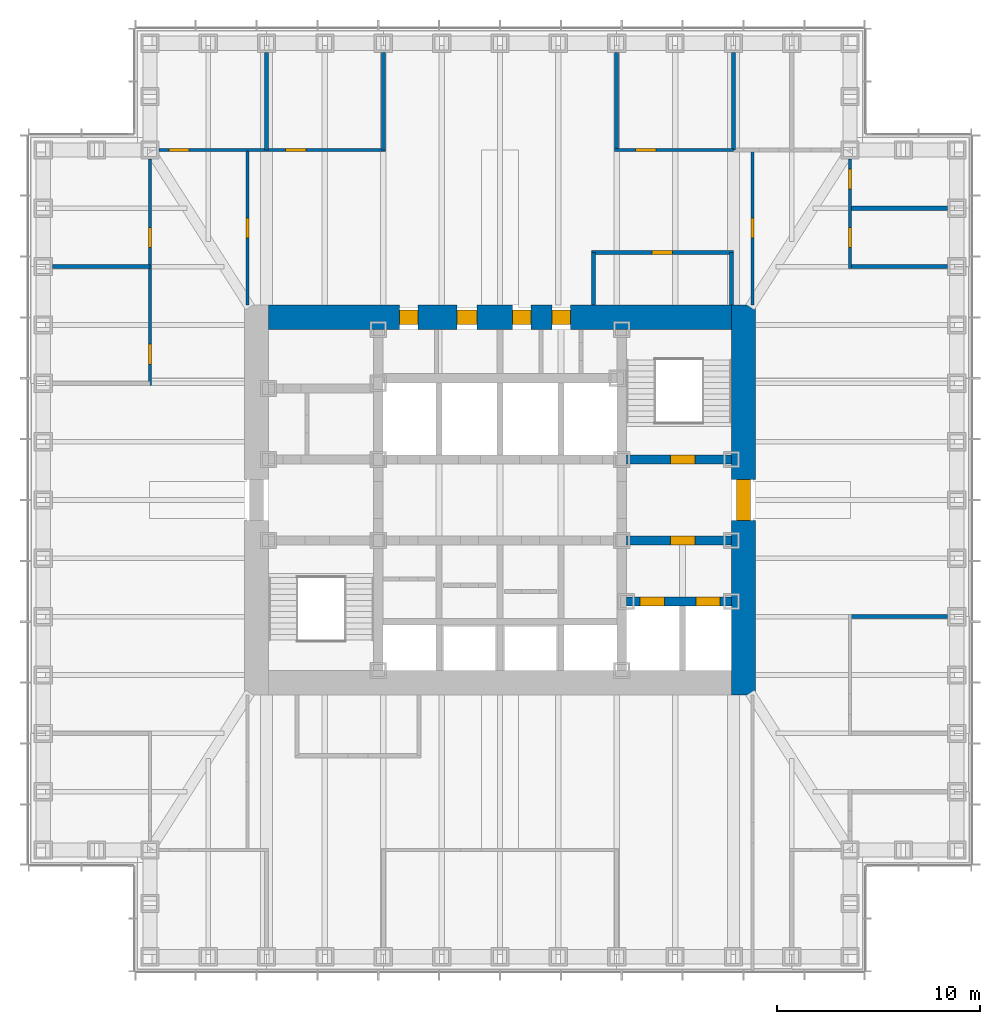
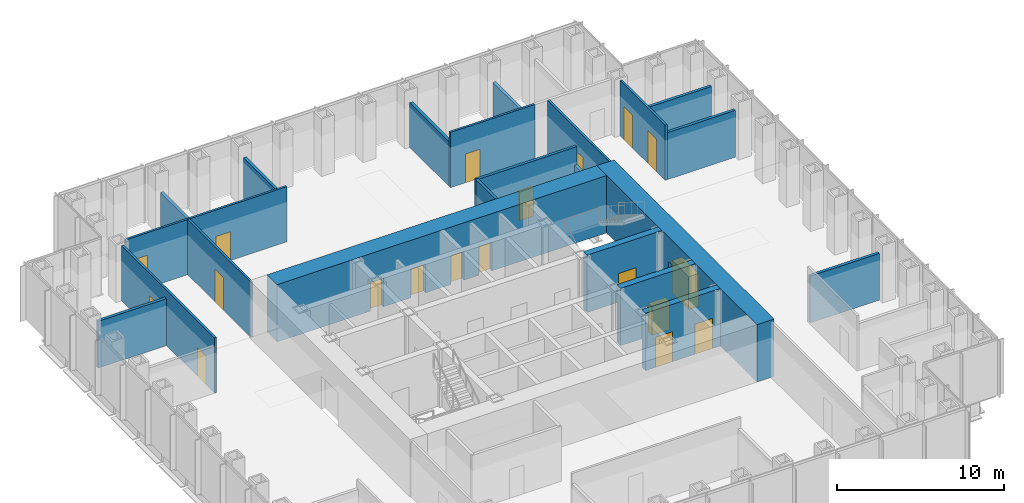
# One storey, part 10 of 17: 22 walls, 19 doors, 19 openings.
"""IFC4 building model written with IfcOpenShell, lengths in metres."""

from ifc_helpers import new_model, si_unit, direction, frame, frame_2d, origin, place, context, subcontext, project, spatial, rectangle, extrude, material, layer, layer_set, type_object, element, fill, save


model = new_model("IFC4")

# Units and contexts
model_context = context("Model", 3, precision=1e-05, world=origin(), true_north=direction((0.0, 1.0)))
body_context = subcontext(model_context, "Body", "Model", "MODEL_VIEW")
ifc_project = project(units=[si_unit("LENGTHUNIT", "METRE"), si_unit("AREAUNIT", "SQUARE_METRE"), si_unit("VOLUMEUNIT", "CUBIC_METRE"), si_unit("PLANEANGLEUNIT", "RADIAN"), si_unit("MASSUNIT", "GRAM", prefix="KILO")], contexts=[model_context])

# Site, building, storey
site_placement = place(None, origin())
site = spatial("IfcSite", under=ifc_project, at=site_placement, CompositionType="ELEMENT")
building_placement = place(site_placement, origin())
building = spatial("IfcBuilding", under=site, at=building_placement, Name="Daluyong Arena Tower", CompositionType="ELEMENT")
storey_placement = place(building_placement, frame((0.0, 0.0, 150.10009765625)))
storey = spatial("IfcBuildingStorey", under=building, at=storey_placement, Name="L33", CompositionType="ELEMENT", Elevation=150.10009765625)

# Wall, openings, doors
ifc_material_1 = material(Name="Concrete fc' 45 MPa", Category="concrete")
ifc_layer_1 = layer(ifc_material_1, 0.449951171875)
ifc_layer_set_1 = layer_set([ifc_layer_1], Name="Concrete fc' 45 MPa")
wall_type_1 = type_object("IfcWallType", Name="Core inner wall 450", PredefinedType="SHEAR", material=ifc_layer_set_1)
wall_1_placement = place(storey_placement, frame((62.22509765625, 75.0, 0.0), z_axis=(0.0, 0.0, 1.0), x_axis=(1.0, 0.0, 0.0)))
wall_1 = element("IfcWall", 1, at=wall_1_placement, inside=storey, type_object=wall_type_1, Name="core inner wall at L33", PredefinedType="SHEAR", context=body_context, shape_type="SweptSolid", body=[
    extrude(rectangle(XDim=5.1748046875, YDim=0.449951171875, at=frame_2d((2.58740234375, 0.0))), origin(), (0.0, 0.0, 1.0), 4.199951171875),
])
opening_1_placement = place(wall_1_placement, frame((0.675048828125, 0.0, 0.0)))
opening_1 = element("IfcOpeningElement", 2, at=opening_1_placement, cuts=wall_1, Name="Opening 33027", PredefinedType="OPENING", context=body_context, shape_type="SweptSolid", body=[
    extrude(rectangle(XDim=1.199951171875, YDim=2.199951171875, at=frame_2d((0.60009765625, 1.10009765625))), frame((0.0, 0.23486328125, 0.0), z_axis=(0.0, -1.0, 0.0), x_axis=(1.0, 0.0, 0.0)), (0.0, 0.0, 1.0), 0.469970703125),
])
opening_2_placement = place(wall_1_placement, frame((3.425048828125, 0.0, 0.0)))
opening_2 = element("IfcOpeningElement", 3, at=opening_2_placement, cuts=wall_1, Name="Opening 33028", PredefinedType="OPENING", context=body_context, shape_type="SweptSolid", body=[
    extrude(rectangle(XDim=1.199951171875, YDim=2.199951171875, at=frame_2d((0.60009765625, 1.10009765625))), frame((0.0, 0.23486328125, 0.0), z_axis=(0.0, -1.0, 0.0), x_axis=(1.0, 0.0, 0.0)), (0.0, 0.0, 1.0), 0.469970703125),
])
ifc_material_2 = material(Name="Steel door, fire rated", Category="steel")
door_type_1 = type_object("IfcDoorType", Name="Firefighting lift landing door 1200", OperationType="SLIDING_TO_LEFT", PredefinedType="DOOR", material=ifc_material_2)
door_1_placement = place(opening_1_placement, origin())
door_1 = element("IfcDoor", 4, at=door_1_placement, inside=storey, type_object=door_type_1, Name="firefighting lift landing door F1 33027", OperationType="SLIDING_TO_LEFT", OverallHeight=2.199951171875, OverallWidth=1.199951171875, PredefinedType="DOOR", context=body_context, shape_type="SweptSolid", body=[
    extrude(rectangle(XDim=1.199951171875, YDim=2.199951171875, at=frame_2d((0.60009765625, 1.10009765625))), frame((0.0, 0.224609375, 0.0), z_axis=(0.0, -1.0, 0.0), x_axis=(1.0, 0.0, 0.0)), (0.0, 0.0, 1.0), 0.449462890625),
])
fill(opening_1, door_1)
door_2_placement = place(opening_2_placement, origin())
door_2 = element("IfcDoor", 5, at=door_2_placement, inside=storey, type_object=door_type_1, Name="firefighting lift landing door F2 33028", OperationType="SLIDING_TO_LEFT", OverallHeight=2.199951171875, OverallWidth=1.199951171875, PredefinedType="DOOR", context=body_context, shape_type="SweptSolid", body=[
    extrude(rectangle(XDim=1.199951171875, YDim=2.199951171875, at=frame_2d((0.60009765625, 1.10009765625))), frame((0.0, 0.224609375, 0.0), z_axis=(0.0, -1.0, 0.0), x_axis=(1.0, 0.0, 0.0)), (0.0, 0.0, 1.0), 0.449462890625),
])
fill(opening_2, door_2)

# Wall, opening, door
wall_2_placement = place(storey_placement, frame((62.22509765625, 78.0, 0.0), z_axis=(0.0, 0.0, 1.0), x_axis=(1.0, 0.0, 0.0)))
wall_2 = element("IfcWall", 6, at=wall_2_placement, inside=storey, type_object=wall_type_1, Name="core inner wall at L33", PredefinedType="SHEAR", context=body_context, shape_type="SweptSolid", body=[
    extrude(rectangle(XDim=5.1748046875, YDim=0.449951171875, at=frame_2d((2.58740234375, 0.0))), origin(), (0.0, 0.0, 1.0), 4.199951171875),
])
opening_3_placement = place(wall_2_placement, frame((2.175048828125, 0.0, 0.0)))
opening_3 = element("IfcOpeningElement", 7, at=opening_3_placement, cuts=wall_2, Name="Opening 33022", PredefinedType="OPENING", context=body_context, shape_type="SweptSolid", body=[
    extrude(rectangle(XDim=1.199951171875, YDim=2.10009765625, at=frame_2d((0.60009765625, 1.050048828125))), frame((0.0, 0.23486328125, 0.0), z_axis=(0.0, -1.0, 0.0), x_axis=(1.0, 0.0, 0.0)), (0.0, 0.0, 1.0), 0.469970703125),
])
ifc_material_3 = material(Name="Steel door, fire rated", Category="steel")
door_type_2 = type_object("IfcDoorType", Name="Firefighting lobby door 1200", OperationType="SINGLE_SWING_RIGHT", PredefinedType="DOOR", material=ifc_material_3)
door_3_placement = place(opening_3_placement, origin())
door_3 = element("IfcDoor", 8, at=door_3_placement, inside=storey, type_object=door_type_2, Name="firefighting lobby door 33022", OperationType="SINGLE_SWING_RIGHT", OverallHeight=2.10009765625, OverallWidth=1.199951171875, PredefinedType="DOOR", context=body_context, shape_type="SweptSolid", body=[
    extrude(rectangle(XDim=1.199951171875, YDim=2.10009765625, at=frame_2d((0.60009765625, 1.050048828125))), frame((0.0, 0.224609375, 0.0), z_axis=(0.0, -1.0, 0.0), x_axis=(1.0, 0.0, 0.0)), (0.0, 0.0, 1.0), 0.449462890625),
])
fill(opening_3, door_3)

wall_3_placement = place(storey_placement, frame((62.22509765625, 82.0, 0.0), z_axis=(0.0, 0.0, 1.0), x_axis=(1.0, 0.0, 0.0)))
wall_3 = element("IfcWall", 9, at=wall_3_placement, inside=storey, type_object=wall_type_1, Name="core inner wall at L33", PredefinedType="SHEAR", context=body_context, shape_type="SweptSolid", body=[
    extrude(rectangle(XDim=5.1748046875, YDim=0.449951171875, at=frame_2d((2.58740234375, 0.0))), origin(), (0.0, 0.0, 1.0), 4.199951171875),
])
opening_4_placement = place(wall_3_placement, frame((2.175048828125, 0.0, 0.0)))
opening_4 = element("IfcOpeningElement", 10, at=opening_4_placement, cuts=wall_3, Name="Opening 33017", PredefinedType="OPENING", context=body_context, shape_type="SweptSolid", body=[
    extrude(rectangle(XDim=1.199951171875, YDim=2.10009765625, at=frame_2d((0.60009765625, 1.050048828125))), frame((0.0, 0.23486328125, 0.0), z_axis=(0.0, -1.0, 0.0), x_axis=(1.0, 0.0, 0.0)), (0.0, 0.0, 1.0), 0.469970703125),
])
ifc_material_4 = material(Name="Steel door, fire rated", Category="steel")
door_type_3 = type_object("IfcDoorType", Name="Stair door 1200", OperationType="SINGLE_SWING_LEFT", PredefinedType="DOOR", material=ifc_material_4)
door_4_placement = place(opening_4_placement, origin())
door_4 = element("IfcDoor", 11, at=door_4_placement, inside=storey, type_object=door_type_3, Name="stair B door 33017", OperationType="SINGLE_SWING_LEFT", OverallHeight=2.10009765625, OverallWidth=1.199951171875, PredefinedType="DOOR", context=body_context, shape_type="SweptSolid", body=[
    extrude(rectangle(XDim=1.199951171875, YDim=2.10009765625, at=frame_2d((0.60009765625, 1.050048828125))), frame((0.0, 0.224609375, 0.0), z_axis=(0.0, -1.0, 0.0), x_axis=(1.0, 0.0, 0.0)), (0.0, 0.0, 1.0), 0.449462890625),
])
fill(opening_4, door_4)

ifc_material_5 = material(Name="Concrete fc' 60 MPa", Category="concrete")
ifc_layer_2 = layer(ifc_material_5, 1.199951171875)
ifc_layer_set_2 = layer_set([ifc_layer_2], Name="Concrete fc' 60 MPa")
wall_type_2 = type_object("IfcWallType", Name="Core wall 1200", PredefinedType="SHEAR", material=ifc_layer_set_2)
wall_4_placement = place(storey_placement, frame((68.0, 70.39990234375, 0.0), z_axis=(0.0, 0.0, 1.0), x_axis=(0.0, 1.0, 0.0)))
wall_4 = element("IfcWall", 12, at=wall_4_placement, inside=storey, type_object=wall_type_2, Name="core wall at L33", PredefinedType="SHEAR", context=body_context, shape_type="SweptSolid", body=[
    extrude(rectangle(XDim=19.2001953125, YDim=1.199951171875, at=frame_2d((9.60009765625, 0.0))), origin(), (0.0, 0.0, 1.0), 4.199951171875),
])
opening_5_placement = place(wall_4_placement, frame((8.60009765625, 0.0, 0.0)))
opening_5 = element("IfcOpeningElement", 13, at=opening_5_placement, cuts=wall_4, Name="Opening 33019", PredefinedType="OPENING", context=body_context, shape_type="SweptSolid", body=[
    extrude(rectangle(XDim=2.0, YDim=2.39990234375, at=frame_2d((1.0, 1.199951171875))), frame((0.0, 0.60986328125, 0.0), z_axis=(0.0, -1.0, 0.0), x_axis=(1.0, 0.0, 0.0)), (0.0, 0.0, 1.0), 1.219970703125),
])
ifc_material_6 = material(Name="Steel door, fire rated", Category="steel")
door_type_4 = type_object("IfcDoorType", Name="Core lobby double door 2000", OperationType="DOUBLE_DOOR_SINGLE_SWING", PredefinedType="DOOR", material=ifc_material_6)
door_5_placement = place(opening_5_placement, origin())
door_5 = element("IfcDoor", 14, at=door_5_placement, inside=storey, type_object=door_type_4, Name="core lobby door east 33019", OperationType="DOUBLE_DOOR_SINGLE_SWING", OverallHeight=2.39990234375, OverallWidth=2.0, PredefinedType="DOOR", context=body_context, shape_type="SweptSolid", body=[
    extrude(rectangle(XDim=2.0, YDim=2.39990234375, at=frame_2d((1.0, 1.199951171875))), frame((0.0, 0.35009765625, 0.0), z_axis=(0.0, -1.0, 0.0), x_axis=(1.0, 0.0, 0.0)), (0.0, 0.0, 1.0), 0.699951171875),
])
fill(opening_5, door_5)

# Wall, openings, doors
wall_5_placement = place(storey_placement, frame((44.60009765625, 89.0, 0.0), z_axis=(0.0, 0.0, 1.0), x_axis=(1.0, 0.0, 0.0)))
wall_5 = element("IfcWall", 15, at=wall_5_placement, inside=storey, type_object=wall_type_2, Name="core wall at L33", PredefinedType="SHEAR", context=body_context, shape_type="SweptSolid", body=[
    extrude(rectangle(XDim=22.7998046875, YDim=1.199951171875, at=frame_2d((11.39990234375, 0.0))), origin(), (0.0, 0.0, 1.0), 4.199951171875),
])
opening_6_placement = place(wall_5_placement, frame((9.27490234375, 0.0, 0.0)))
opening_6 = element("IfcOpeningElement", 16, at=opening_6_placement, cuts=wall_5, Name="Opening 33004", PredefinedType="OPENING", context=body_context, shape_type="SweptSolid", body=[
    extrude(rectangle(XDim=1.0, YDim=2.10009765625, at=frame_2d((0.5, 1.050048828125))), frame((0.0, 0.60986328125, 0.0), z_axis=(0.0, -1.0, 0.0), x_axis=(1.0, 0.0, 0.0)), (0.0, 0.0, 1.0), 1.219970703125),
])
opening_7_placement = place(wall_5_placement, frame((6.449951171875, 0.0, 0.0)))
opening_7 = element("IfcOpeningElement", 17, at=opening_7_placement, cuts=wall_5, Name="Opening 33005", PredefinedType="OPENING", context=body_context, shape_type="SweptSolid", body=[
    extrude(rectangle(XDim=0.89990234375, YDim=2.10009765625, at=frame_2d((0.449951171875, 1.050048828125))), frame((0.0, 0.60986328125, 0.0), z_axis=(0.0, -1.0, 0.0), x_axis=(1.0, 0.0, 0.0)), (0.0, 0.0, 1.0), 1.219970703125),
])
opening_8_placement = place(wall_5_placement, frame((12.02490234375, 0.0, 0.0)))
opening_8 = element("IfcOpeningElement", 18, at=opening_8_placement, cuts=wall_5, Name="Opening 33006", PredefinedType="OPENING", context=body_context, shape_type="SweptSolid", body=[
    extrude(rectangle(XDim=0.89990234375, YDim=2.10009765625, at=frame_2d((0.449951171875, 1.050048828125))), frame((0.0, 0.60986328125, 0.0), z_axis=(0.0, -1.0, 0.0), x_axis=(1.0, 0.0, 0.0)), (0.0, 0.0, 1.0), 1.219970703125),
])
opening_9_placement = place(wall_5_placement, frame((13.96240234375, 0.0, 0.0)))
opening_9 = element("IfcOpeningElement", 19, at=opening_9_placement, cuts=wall_5, Name="Opening 33007", PredefinedType="OPENING", context=body_context, shape_type="SweptSolid", body=[
    extrude(rectangle(XDim=0.89990234375, YDim=2.10009765625, at=frame_2d((0.449951171875, 1.050048828125))), frame((0.0, 0.60986328125, 0.0), z_axis=(0.0, -1.0, 0.0), x_axis=(1.0, 0.0, 0.0)), (0.0, 0.0, 1.0), 1.219970703125),
])
ifc_material_7 = material(Name="Timber door", Category="wood")
door_type_5 = type_object("IfcDoorType", Name="Accessible toilet door 1000", OperationType="SINGLE_SWING_LEFT", PredefinedType="DOOR", material=ifc_material_7)
door_6_placement = place(opening_6_placement, origin())
door_6 = element("IfcDoor", 20, at=door_6_placement, inside=storey, type_object=door_type_5, Name="accessible toilet door 33004", OperationType="SINGLE_SWING_LEFT", OverallHeight=2.10009765625, OverallWidth=1.0, PredefinedType="DOOR", context=body_context, shape_type="SweptSolid", body=[
    extrude(rectangle(XDim=1.0, YDim=2.10009765625, at=frame_2d((0.5, 1.050048828125))), frame((0.0, 0.35009765625, 0.0), z_axis=(0.0, -1.0, 0.0), x_axis=(1.0, 0.0, 0.0)), (0.0, 0.0, 1.0), 0.699951171875),
])
fill(opening_6, door_6)
ifc_material_8 = material(Name="Steel door, fire rated", Category="steel")
door_type_6 = type_object("IfcDoorType", Name="Core room door 900", OperationType="SINGLE_SWING_LEFT", PredefinedType="DOOR", material=ifc_material_8)
door_7_placement = place(opening_8_placement, origin())
door_7 = element("IfcDoor", 21, at=door_7_placement, inside=storey, type_object=door_type_6, Name="mail room door 33006", OperationType="SINGLE_SWING_LEFT", OverallHeight=2.10009765625, OverallWidth=0.89990234375, PredefinedType="DOOR", context=body_context, shape_type="SweptSolid", body=[
    extrude(rectangle(XDim=0.89990234375, YDim=2.10009765625, at=frame_2d((0.449951171875, 1.050048828125))), frame((0.0, 0.35009765625, 0.0), z_axis=(0.0, -1.0, 0.0), x_axis=(1.0, 0.0, 0.0)), (0.0, 0.0, 1.0), 0.699951171875),
])
fill(opening_8, door_7)
door_8_placement = place(opening_9_placement, origin())
door_8 = element("IfcDoor", 22, at=door_8_placement, inside=storey, type_object=door_type_6, Name="vending room door 33007", OperationType="SINGLE_SWING_LEFT", OverallHeight=2.10009765625, OverallWidth=0.89990234375, PredefinedType="DOOR", context=body_context, shape_type="SweptSolid", body=[
    extrude(rectangle(XDim=0.89990234375, YDim=2.10009765625, at=frame_2d((0.449951171875, 1.050048828125))), frame((0.0, 0.35009765625, 0.0), z_axis=(0.0, -1.0, 0.0), x_axis=(1.0, 0.0, 0.0)), (0.0, 0.0, 1.0), 0.699951171875),
])
fill(opening_9, door_8)
ifc_material_9 = material(Name="Steel door, fire rated", Category="steel")
door_type_7 = type_object("IfcDoorType", Name="Core store door 900", OperationType="SINGLE_SWING_LEFT", PredefinedType="DOOR", material=ifc_material_9)
door_9_placement = place(opening_7_placement, origin())
door_9 = element("IfcDoor", 23, at=door_9_placement, inside=storey, type_object=door_type_7, Name="cleaner's store door 33005", OperationType="SINGLE_SWING_LEFT", OverallHeight=2.10009765625, OverallWidth=0.89990234375, PredefinedType="DOOR", context=body_context, shape_type="SweptSolid", body=[
    extrude(rectangle(XDim=0.89990234375, YDim=2.10009765625, at=frame_2d((0.449951171875, 1.050048828125))), frame((0.0, 0.35009765625, 0.0), z_axis=(0.0, -1.0, 0.0), x_axis=(1.0, 0.0, 0.0)), (0.0, 0.0, 1.0), 0.699951171875),
])
fill(opening_7, door_9)

ifc_material_10 = material(Name="Glazed aluminium partition", Category="aluminium")
ifc_layer_3 = layer(ifc_material_10, 0.14990234375)
ifc_layer_set_3 = layer_set([ifc_layer_3], Name="Glazed aluminium partition")
wall_type_3 = type_object("IfcWallType", Name="Glazed partition 150", PredefinedType="PARTITIONING", material=ifc_layer_set_3)
wall_6_placement = place(storey_placement, frame((39.199951171875, 97.25, 0.0), z_axis=(0.0, 0.0, 1.0), x_axis=(1.0, 0.0, 0.0)))
wall_6 = element("IfcWall", 24, at=wall_6_placement, inside=storey, type_object=wall_type_3, Name="glazed partition at L33", PredefinedType="PARTITIONING", context=body_context, shape_type="SweptSolid", body=[
    extrude(rectangle(XDim=11.150146484375, YDim=0.14990234375, at=frame_2d((5.5751953125, 0.0))), origin(), (0.0, 0.0, 1.0), 4.039794921875),
])
opening_10_placement = place(wall_6_placement, frame((0.487548828125, 0.0, 0.0)))
opening_10 = element("IfcOpeningElement", 25, at=opening_10_placement, cuts=wall_6, Name="Opening 33036", PredefinedType="OPENING", context=body_context, shape_type="SweptSolid", body=[
    extrude(rectangle(XDim=1.0, YDim=2.39990234375, at=frame_2d((0.5, 1.199951171875))), frame((0.0, 0.0849609375, 0.0), z_axis=(0.0, -1.0, 0.0), x_axis=(1.0, 0.0, 0.0)), (0.0, 0.0, 1.0), 0.169921875),
])
opening_11_placement = place(wall_6_placement, frame((6.237548828125, 0.0, 0.0)))
opening_11 = element("IfcOpeningElement", 26, at=opening_11_placement, cuts=wall_6, Name="Opening 33037", PredefinedType="OPENING", context=body_context, shape_type="SweptSolid", body=[
    extrude(rectangle(XDim=1.0, YDim=2.10009765625, at=frame_2d((0.5, 1.050048828125))), frame((0.0, 0.0849609375, 0.0), z_axis=(0.0, -1.0, 0.0), x_axis=(1.0, 0.0, 0.0)), (0.0, 0.0, 1.0), 0.169921875),
])
ifc_material_11 = material(Name="Glazed aluminium door", Category="aluminium")
door_type_8 = type_object("IfcDoorType", Name="Meeting room glazed door 1000", OperationType="SINGLE_SWING_RIGHT", PredefinedType="DOOR", material=ifc_material_11)
door_10_placement = place(opening_10_placement, origin())
door_10 = element("IfcDoor", 27, at=door_10_placement, inside=storey, type_object=door_type_8, Name="meeting room door 33036", OperationType="SINGLE_SWING_RIGHT", OverallHeight=2.39990234375, OverallWidth=1.0, PredefinedType="DOOR", context=body_context, shape_type="SweptSolid", body=[
    extrude(rectangle(XDim=1.0, YDim=2.39990234375, at=frame_2d((0.5, 1.199951171875))), frame((0.0, 0.07470703125, 0.0), z_axis=(0.0, -1.0, 0.0), x_axis=(1.0, 0.0, 0.0)), (0.0, 0.0, 1.0), 0.1494140625),
])
fill(opening_10, door_10)
ifc_material_12 = material(Name="Timber door", Category="wood")
door_type_9 = type_object("IfcDoorType", Name="Room door 1000", OperationType="SINGLE_SWING_LEFT", PredefinedType="DOOR", material=ifc_material_12)
door_11_placement = place(opening_11_placement, origin())
door_11 = element("IfcDoor", 28, at=door_11_placement, inside=storey, type_object=door_type_9, Name="office door 33037", OperationType="SINGLE_SWING_LEFT", OverallHeight=2.10009765625, OverallWidth=1.0, PredefinedType="DOOR", context=body_context, shape_type="SweptSolid", body=[
    extrude(rectangle(XDim=1.0, YDim=2.10009765625, at=frame_2d((0.5, 1.050048828125))), frame((0.0, 0.07470703125, 0.0), z_axis=(0.0, -1.0, 0.0), x_axis=(1.0, 0.0, 0.0)), (0.0, 0.0, 1.0), 0.1494140625),
])
fill(opening_11, door_11)

# Wall, opening, door
wall_7_placement = place(storey_placement, frame((61.64990234375, 97.25, 0.0), z_axis=(0.0, 0.0, 1.0), x_axis=(1.0, 0.0, 0.0)))
wall_7 = element("IfcWall", 29, at=wall_7_placement, inside=storey, type_object=wall_type_3, Name="glazed partition at L33", PredefinedType="PARTITIONING", context=body_context, shape_type="SweptSolid", body=[
    extrude(rectangle(XDim=5.85009765625, YDim=0.14990234375, at=frame_2d((2.925048828125, 0.0))), origin(), (0.0, 0.0, 1.0), 4.039794921875),
])
opening_12_placement = place(wall_7_placement, frame((1.03759765625, 0.0, 0.0)))
opening_12 = element("IfcOpeningElement", 30, at=opening_12_placement, cuts=wall_7, Name="Opening 33038", PredefinedType="OPENING", context=body_context, shape_type="SweptSolid", body=[
    extrude(rectangle(XDim=1.0, YDim=2.10009765625, at=frame_2d((0.5, 1.050048828125))), frame((0.0, 0.0849609375, 0.0), z_axis=(0.0, -1.0, 0.0), x_axis=(1.0, 0.0, 0.0)), (0.0, 0.0, 1.0), 0.169921875),
])
door_12_placement = place(opening_12_placement, origin())
door_12 = element("IfcDoor", 31, at=door_12_placement, inside=storey, type_object=door_type_9, Name="office door 33038", OperationType="SINGLE_SWING_LEFT", OverallHeight=2.10009765625, OverallWidth=1.0, PredefinedType="DOOR", context=body_context, shape_type="SweptSolid", body=[
    extrude(rectangle(XDim=1.0, YDim=2.10009765625, at=frame_2d((0.5, 1.050048828125))), frame((0.0, 0.07470703125, 0.0), z_axis=(0.0, -1.0, 0.0), x_axis=(1.0, 0.0, 0.0)), (0.0, 0.0, 1.0), 0.1494140625),
])
fill(opening_12, door_12)

# Wall, openings, doors
wall_8_placement = place(storey_placement, frame((38.75, 85.64990234375, 0.0), z_axis=(0.0, 0.0, 1.0), x_axis=(0.0, 1.0, 0.0)))
wall_8 = element("IfcWall", 32, at=wall_8_placement, inside=storey, type_object=wall_type_3, Name="glazed partition at L33", PredefinedType="PARTITIONING", context=body_context, shape_type="SweptSolid", body=[
    extrude(rectangle(XDim=11.150146484375, YDim=0.14990234375, at=frame_2d((5.5751953125, 0.0))), origin(), (0.0, 0.0, 1.0), 4.039794921875),
])
opening_13_placement = place(wall_8_placement, frame((1.03759765625, 0.0, 0.0)))
opening_13 = element("IfcOpeningElement", 33, at=opening_13_placement, cuts=wall_8, Name="Opening 33042", PredefinedType="OPENING", context=body_context, shape_type="SweptSolid", body=[
    extrude(rectangle(XDim=1.0, YDim=2.10009765625, at=frame_2d((0.5, 1.050048828125))), frame((0.0, 0.0849609375, 0.0), z_axis=(0.0, -1.0, 0.0), x_axis=(1.0, 0.0, 0.0)), (0.0, 0.0, 1.0), 0.169921875),
])
opening_14_placement = place(wall_8_placement, frame((6.78759765625, 0.0, 0.0)))
opening_14 = element("IfcOpeningElement", 34, at=opening_14_placement, cuts=wall_8, Name="Opening 33043", PredefinedType="OPENING", context=body_context, shape_type="SweptSolid", body=[
    extrude(rectangle(XDim=1.0, YDim=2.39990234375, at=frame_2d((0.5, 1.199951171875))), frame((0.0, 0.0849609375, 0.0), z_axis=(0.0, -1.0, 0.0), x_axis=(1.0, 0.0, 0.0)), (0.0, 0.0, 1.0), 0.169921875),
])
door_13_placement = place(opening_14_placement, origin())
door_13 = element("IfcDoor", 35, at=door_13_placement, inside=storey, type_object=door_type_8, Name="meeting room door 33043", OperationType="SINGLE_SWING_RIGHT", OverallHeight=2.39990234375, OverallWidth=1.0, PredefinedType="DOOR", context=body_context, shape_type="SweptSolid", body=[
    extrude(rectangle(XDim=1.0, YDim=2.39990234375, at=frame_2d((0.5, 1.199951171875))), frame((0.0, 0.07470703125, 0.0), z_axis=(0.0, -1.0, 0.0), x_axis=(1.0, 0.0, 0.0)), (0.0, 0.0, 1.0), 0.1494140625),
])
fill(opening_14, door_13)
door_14_placement = place(opening_13_placement, origin())
door_14 = element("IfcDoor", 36, at=door_14_placement, inside=storey, type_object=door_type_9, Name="office door 33042", OperationType="SINGLE_SWING_LEFT", OverallHeight=2.10009765625, OverallWidth=1.0, PredefinedType="DOOR", context=body_context, shape_type="SweptSolid", body=[
    extrude(rectangle(XDim=1.0, YDim=2.10009765625, at=frame_2d((0.5, 1.050048828125))), frame((0.0, 0.07470703125, 0.0), z_axis=(0.0, -1.0, 0.0), x_axis=(1.0, 0.0, 0.0)), (0.0, 0.0, 1.0), 0.1494140625),
])
fill(opening_13, door_14)

# Wall, opening, door
wall_9_placement = place(storey_placement, frame((43.550048828125, 89.60009765625, 0.0), z_axis=(0.0, 0.0, 1.0), x_axis=(0.0, 1.0, 0.0)))
wall_9 = element("IfcWall", 37, at=wall_9_placement, inside=storey, type_object=wall_type_3, Name="glazed partition at L33", PredefinedType="PARTITIONING", context=body_context, shape_type="SweptSolid", body=[
    extrude(rectangle(XDim=7.599853515625, YDim=0.14990234375, at=frame_2d((3.7998046875, 0.0))), origin(), (0.0, 0.0, 1.0), 4.039794921875),
])
opening_15_placement = place(wall_9_placement, frame((3.300048828125, 0.0, 0.0)))
opening_15 = element("IfcOpeningElement", 38, at=opening_15_placement, cuts=wall_9, Name="Opening 33048", PredefinedType="OPENING", context=body_context, shape_type="SweptSolid", body=[
    extrude(rectangle(XDim=1.0, YDim=2.39990234375, at=frame_2d((0.5, 1.199951171875))), frame((0.0, 0.0849609375, 0.0), z_axis=(0.0, -1.0, 0.0), x_axis=(1.0, 0.0, 0.0)), (0.0, 0.0, 1.0), 0.169921875),
])
door_15_placement = place(opening_15_placement, origin())
door_15 = element("IfcDoor", 39, at=door_15_placement, inside=storey, type_object=door_type_8, Name="team area screen door 33048", OperationType="SINGLE_SWING_RIGHT", OverallHeight=2.39990234375, OverallWidth=1.0, PredefinedType="DOOR", context=body_context, shape_type="SweptSolid", body=[
    extrude(rectangle(XDim=1.0, YDim=2.39990234375, at=frame_2d((0.5, 1.199951171875))), frame((0.0, 0.07470703125, 0.0), z_axis=(0.0, -1.0, 0.0), x_axis=(1.0, 0.0, 0.0)), (0.0, 0.0, 1.0), 0.1494140625),
])
fill(opening_15, door_15)

wall_10_placement = place(storey_placement, frame((68.449951171875, 89.60009765625, 0.0), z_axis=(0.0, 0.0, 1.0), x_axis=(0.0, 1.0, 0.0)))
wall_10 = element("IfcWall", 40, at=wall_10_placement, inside=storey, type_object=wall_type_3, Name="glazed partition at L33", PredefinedType="PARTITIONING", context=body_context, shape_type="SweptSolid", body=[
    extrude(rectangle(XDim=7.599853515625, YDim=0.14990234375, at=frame_2d((3.7998046875, 0.0))), origin(), (0.0, 0.0, 1.0), 4.039794921875),
])
opening_16_placement = place(wall_10_placement, frame((3.300048828125, 0.0, 0.0)))
opening_16 = element("IfcOpeningElement", 41, at=opening_16_placement, cuts=wall_10, Name="Opening 33049", PredefinedType="OPENING", context=body_context, shape_type="SweptSolid", body=[
    extrude(rectangle(XDim=1.0, YDim=2.39990234375, at=frame_2d((0.5, 1.199951171875))), frame((0.0, 0.0849609375, 0.0), z_axis=(0.0, -1.0, 0.0), x_axis=(1.0, 0.0, 0.0)), (0.0, 0.0, 1.0), 0.169921875),
])
door_16_placement = place(opening_16_placement, origin())
door_16 = element("IfcDoor", 42, at=door_16_placement, inside=storey, type_object=door_type_8, Name="team area screen door 33049", OperationType="SINGLE_SWING_RIGHT", OverallHeight=2.39990234375, OverallWidth=1.0, PredefinedType="DOOR", context=body_context, shape_type="SweptSolid", body=[
    extrude(rectangle(XDim=1.0, YDim=2.39990234375, at=frame_2d((0.5, 1.199951171875))), frame((0.0, 0.07470703125, 0.0), z_axis=(0.0, -1.0, 0.0), x_axis=(1.0, 0.0, 0.0)), (0.0, 0.0, 1.0), 0.1494140625),
])
fill(opening_16, door_16)

# Wall, openings, doors
wall_11_placement = place(storey_placement, frame((73.25, 91.39990234375, 0.0), z_axis=(0.0, 0.0, 1.0), x_axis=(0.0, 1.0, 0.0)))
wall_11 = element("IfcWall", 43, at=wall_11_placement, inside=storey, type_object=wall_type_3, Name="glazed partition at L33", PredefinedType="PARTITIONING", context=body_context, shape_type="SweptSolid", body=[
    extrude(rectangle(XDim=5.400146484375, YDim=0.14990234375, at=frame_2d((2.7001953125, 0.0))), origin(), (0.0, 0.0, 1.0), 4.039794921875),
])
opening_17_placement = place(wall_11_placement, frame((1.03759765625, 0.0, 0.0)))
opening_17 = element("IfcOpeningElement", 44, at=opening_17_placement, cuts=wall_11, Name="Opening 33034", PredefinedType="OPENING", context=body_context, shape_type="SweptSolid", body=[
    extrude(rectangle(XDim=1.0, YDim=2.39990234375, at=frame_2d((0.5, 1.199951171875))), frame((0.0, 0.0849609375, 0.0), z_axis=(0.0, -1.0, 0.0), x_axis=(1.0, 0.0, 0.0)), (0.0, 0.0, 1.0), 0.169921875),
])
opening_18_placement = place(wall_11_placement, frame((3.91259765625, 0.0, 0.0)))
opening_18 = element("IfcOpeningElement", 45, at=opening_18_placement, cuts=wall_11, Name="Opening 33035", PredefinedType="OPENING", context=body_context, shape_type="SweptSolid", body=[
    extrude(rectangle(XDim=1.0, YDim=2.39990234375, at=frame_2d((0.5, 1.199951171875))), frame((0.0, 0.0849609375, 0.0), z_axis=(0.0, -1.0, 0.0), x_axis=(1.0, 0.0, 0.0)), (0.0, 0.0, 1.0), 0.169921875),
])
door_17_placement = place(opening_17_placement, origin())
door_17 = element("IfcDoor", 46, at=door_17_placement, inside=storey, type_object=door_type_8, Name="focus room door 33034", OperationType="SINGLE_SWING_RIGHT", OverallHeight=2.39990234375, OverallWidth=1.0, PredefinedType="DOOR", context=body_context, shape_type="SweptSolid", body=[
    extrude(rectangle(XDim=1.0, YDim=2.39990234375, at=frame_2d((0.5, 1.199951171875))), frame((0.0, 0.07470703125, 0.0), z_axis=(0.0, -1.0, 0.0), x_axis=(1.0, 0.0, 0.0)), (0.0, 0.0, 1.0), 0.1494140625),
])
fill(opening_17, door_17)
door_18_placement = place(opening_18_placement, origin())
door_18 = element("IfcDoor", 47, at=door_18_placement, inside=storey, type_object=door_type_8, Name="meeting room door 33035", OperationType="SINGLE_SWING_RIGHT", OverallHeight=2.39990234375, OverallWidth=1.0, PredefinedType="DOOR", context=body_context, shape_type="SweptSolid", body=[
    extrude(rectangle(XDim=1.0, YDim=2.39990234375, at=frame_2d((0.5, 1.199951171875))), frame((0.0, 0.07470703125, 0.0), z_axis=(0.0, -1.0, 0.0), x_axis=(1.0, 0.0, 0.0)), (0.0, 0.0, 1.0), 0.1494140625),
])
fill(opening_18, door_18)

# Walls
ifc_material_13 = material(Name="Concrete block partition", Category="concrete")
ifc_layer_4 = layer(ifc_material_13, 0.199951171875)
ifc_layer_set_4 = layer_set([ifc_layer_4], Name="Concrete block partition")
wall_type_4 = type_object("IfcWallType", Name="Partition 200", PredefinedType="PARTITIONING", material=ifc_layer_set_4)
for number, where, z_axis, x_axis, name in (
    (48, (73.25, 74.25, 0.0), (0.0, 0.0, 1.0), (1.0, 0.0, 0.0), "partition at L33"),
    (49, (73.25, 91.5, 0.0), (0.0, 0.0, 1.0), (1.0, 0.0, 0.0), "partition at L33"),
    (50, (73.25, 94.375, 0.0), (0.0, 0.0, 1.0), (1.0, 0.0, 0.0), "partition at L33"),
):
    element("IfcWall", number, at=place(storey_placement, frame(where, z_axis=z_axis, x_axis=x_axis)), inside=storey, type_object=wall_type_4, Name=name, PredefinedType="PARTITIONING", context=body_context, shape_type="SweptSolid", body=[
        extrude(rectangle(XDim=4.800048828125, YDim=0.199951171875, at=frame_2d((2.39990234375, 0.0))), origin(), (0.0, 0.0, 1.0), 3.427734375),
    ])
wall_12_placement = place(storey_placement, frame((44.5, 97.25, 0.0), z_axis=(0.0, 0.0, 1.0), x_axis=(0.0, 1.0, 0.0)))
element("IfcWall", 51, at=wall_12_placement, inside=storey, type_object=wall_type_4, Name="partition at L33", PredefinedType="PARTITIONING", context=body_context, shape_type="SweptSolid", body=[
    extrude(rectangle(XDim=4.800048828125, YDim=0.199951171875, at=frame_2d((2.39990234375, 0.0))), origin(), (0.0, 0.0, 1.0), 2.739990234375),
])
for number, where, z_axis, x_axis, name in (
    (52, (50.25, 97.25, 0.0), (0.0, 0.0, 1.0), (0.0, 1.0, 0.0), "partition at L33"),
    (53, (61.75, 97.25, 0.0), (0.0, 0.0, 1.0), (0.0, 1.0, 0.0), "partition at L33"),
):
    element("IfcWall", number, at=place(storey_placement, frame(where, z_axis=z_axis, x_axis=x_axis)), inside=storey, type_object=wall_type_4, Name=name, PredefinedType="PARTITIONING", context=body_context, shape_type="SweptSolid", body=[
        extrude(rectangle(XDim=4.800048828125, YDim=0.199951171875, at=frame_2d((2.39990234375, 0.0))), origin(), (0.0, 0.0, 1.0), 3.27783203125),
    ])
wall_13_placement = place(storey_placement, frame((67.5, 97.25, 0.0), z_axis=(0.0, 0.0, 1.0), x_axis=(0.0, 1.0, 0.0)))
element("IfcWall", 54, at=wall_13_placement, inside=storey, type_object=wall_type_4, Name="partition at L33", PredefinedType="PARTITIONING", context=body_context, shape_type="SweptSolid", body=[
    extrude(rectangle(XDim=4.800048828125, YDim=0.199951171875, at=frame_2d((2.39990234375, 0.0))), origin(), (0.0, 0.0, 1.0), 2.739990234375),
])
wall_14_placement = place(storey_placement, frame((33.949951171875, 91.5, 0.0), z_axis=(0.0, 0.0, 1.0), x_axis=(1.0, 0.0, 0.0)))
element("IfcWall", 55, at=wall_14_placement, inside=storey, type_object=wall_type_4, Name="partition at L33", PredefinedType="PARTITIONING", context=body_context, shape_type="SweptSolid", body=[
    extrude(rectangle(XDim=4.800048828125, YDim=0.199951171875, at=frame_2d((2.39990234375, 0.0))), origin(), (0.0, 0.0, 1.0), 3.427734375),
])
wall_15_placement = place(storey_placement, frame((60.60009765625, 89.60009765625, 0.0), z_axis=(0.0, 0.0, 1.0), x_axis=(0.0, 1.0, 0.0)))
element("IfcWall", 56, at=wall_15_placement, inside=storey, type_object=wall_type_4, Name="partition at L33", PredefinedType="PARTITIONING", context=body_context, shape_type="SweptSolid", body=[
    extrude(rectangle(XDim=2.599853515625, YDim=0.199951171875, at=frame_2d((1.2998046875, 0.0))), origin(), (0.0, 0.0, 1.0), 4.039794921875),
])
wall_16_placement = place(storey_placement, frame((67.39990234375, 89.60009765625, 0.0), z_axis=(0.0, 0.0, 1.0), x_axis=(0.0, 1.0, 0.0)))
element("IfcWall", 57, at=wall_16_placement, inside=storey, type_object=wall_type_4, Name="partition at L33", PredefinedType="PARTITIONING", context=body_context, shape_type="SweptSolid", body=[
    extrude(rectangle(XDim=2.599853515625, YDim=0.199951171875, at=frame_2d((1.2998046875, 0.0))), origin(), (0.0, 0.0, 1.0), 2.739990234375),
])

# Wall, opening, door
wall_17_placement = place(storey_placement, frame((60.5, 92.199951171875, 0.0), z_axis=(0.0, 0.0, 1.0), x_axis=(1.0, 0.0, 0.0)))
wall_17 = element("IfcWall", 58, at=wall_17_placement, inside=storey, type_object=wall_type_4, Name="partition at L33", PredefinedType="PARTITIONING", context=body_context, shape_type="SweptSolid", body=[
    extrude(rectangle(XDim=7.0, YDim=0.199951171875, at=frame_2d((3.5, 0.0))), origin(), (0.0, 0.0, 1.0), 4.039794921875),
])
opening_19_placement = place(wall_17_placement, frame((3.0, 0.0, 0.0)))
opening_19 = element("IfcOpeningElement", 59, at=opening_19_placement, cuts=wall_17, Name="Opening 33045", PredefinedType="OPENING", context=body_context, shape_type="SweptSolid", body=[
    extrude(rectangle(XDim=1.0, YDim=2.10009765625, at=frame_2d((0.5, 1.050048828125))), frame((0.0, 0.10986328125, 0.0), z_axis=(0.0, -1.0, 0.0), x_axis=(1.0, 0.0, 0.0)), (0.0, 0.0, 1.0), 0.219970703125),
])
door_19_placement = place(opening_19_placement, origin())
door_19 = element("IfcDoor", 60, at=door_19_placement, inside=storey, type_object=door_type_9, Name="copy room door 33045", OperationType="SINGLE_SWING_LEFT", OverallHeight=2.10009765625, OverallWidth=1.0, PredefinedType="DOOR", context=body_context, shape_type="SweptSolid", body=[
    extrude(rectangle(XDim=1.0, YDim=2.10009765625, at=frame_2d((0.5, 1.050048828125))), frame((0.0, 0.099609375, 0.0), z_axis=(0.0, -1.0, 0.0), x_axis=(1.0, 0.0, 0.0)), (0.0, 0.0, 1.0), 0.199462890625),
])
fill(opening_19, door_19)

save(model, "model.ifc")
